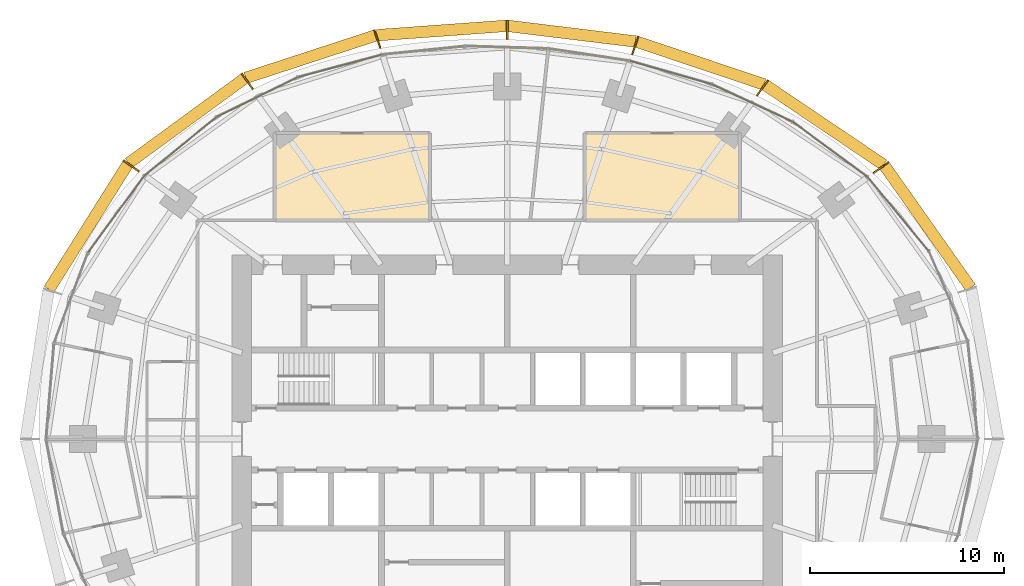
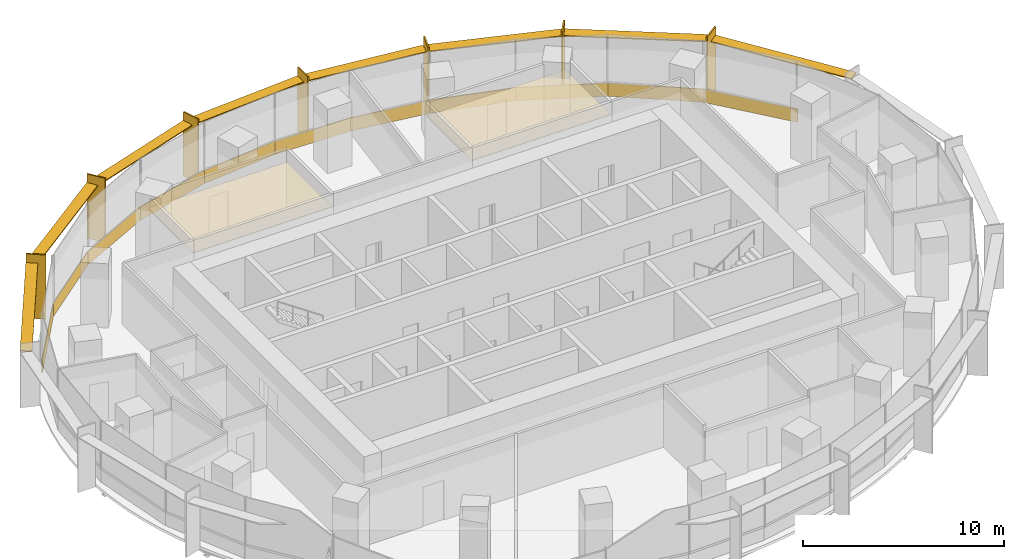
# One storey, part 14 of 14: 15 shading devices, 13 coverings.
"""IFC4 building model written with IfcOpenShell, lengths in metres."""

from ifc_helpers import new_model, si_unit, direction, frame, origin, origin_2d, place, context, subcontext, project, spatial, polyline, rectangle, outline, extrude, material, layer, layer_set, type_object, element, save


model = new_model("IFC4")

# Units and contexts
model_context = context("Model", 3, precision=1e-05, world=origin(), true_north=direction((0.0, 1.0)))
body_context = subcontext(model_context, "Body", "Model", "MODEL_VIEW")
ifc_project = project(units=[si_unit("LENGTHUNIT", "METRE"), si_unit("AREAUNIT", "SQUARE_METRE"), si_unit("VOLUMEUNIT", "CUBIC_METRE"), si_unit("PLANEANGLEUNIT", "RADIAN"), si_unit("MASSUNIT", "GRAM", prefix="KILO")], contexts=[model_context])

# Site, building, storey
site_placement = place(None, origin())
site = spatial("IfcSite", under=ifc_project, at=site_placement, CompositionType="ELEMENT")
building_placement = place(site_placement, origin())
building = spatial("IfcBuilding", under=site, at=building_placement, Name="Marramba Exchange Tower", CompositionType="ELEMENT")
storey_placement = place(building_placement, frame((0.0, 0.0, 183.800048828125)))
storey = spatial("IfcBuildingStorey", under=building, at=storey_placement, Name="L44", CompositionType="ELEMENT", Elevation=183.800048828125)

# Shading devices
ifc_material_1 = material(Name="Aluminium blade, timber-look bronze finish", Category="wood")
ifc_layer_1 = layer(ifc_material_1, 0.080078125)
ifc_layer_set_1 = layer_set([ifc_layer_1], Name="Floor-edge blade 1000x80")
shading_device_type_1 = type_object("IfcShadingDeviceType", Name="Floor-edge blade 1000x80", PredefinedType="USERDEFINED", material=ifc_layer_set_1)
for number, where, z_axis, x_axis, name in (
    (1, (19.298828125, 14.021484375, -0.159912109375), (0.0, 0.0, 1.0), (0.809016994375, 0.587785252292, 0.0), "Floor-edge blade FB1 L44 TC03"),
    (2, (13.176513671875, 18.135986328125, -0.159912109375), (0.0, 0.0, 1.0), (0.587785252292, 0.809016994375, 0.0), "Floor-edge blade FB1 L44 TC04"),
    (3, (6.605712890625, 20.330078125, -0.159912109375), (0.0, 0.0, 1.0), (0.309016994375, 0.951056516295, 0.0), "Floor-edge blade FB1 L44 TC05"),
    (4, (0.0, 21.13623046875, -0.159912109375), (0.0, 0.0, 1.0), (0.0, 1.0, 0.0), "Floor-edge blade FB1 L44 TC06"),
    (5, (-6.7119140625, 20.657470703125, -0.159912109375), (0.0, 0.0, 1.0), (-0.309016994375, 0.951056516295, 0.0), "Floor-edge blade FB1 L44 TC07"),
    (6, (-13.422607421875, 18.474609375, -0.159912109375), (0.0, 0.0, 1.0), (-0.587785252292, 0.809016994375, 0.0), "Floor-edge blade FB1 L44 TC08"),
    (7, (-19.4140625, 14.105224609375, -0.159912109375), (0.0, 0.0, 1.0), (-0.809016994375, 0.587785252292, 0.0), "Floor-edge blade FB1 L44 TC09"),
):
    element("IfcShadingDevice", number, at=place(storey_placement, frame(where, z_axis=z_axis, x_axis=x_axis)), inside=storey, type_object=shading_device_type_1, Name=name, ObjectType="FIN", PredefinedType="USERDEFINED", context=body_context, shape_type="SweptSolid", body=[
        extrude(rectangle(XDim=1.0, YDim=0.080078125, at=origin_2d()), origin(), (0.0, 0.0, 1.0), 3.89990234375),
    ])
ifc_material_2 = material(Name="Aluminium sunshade, bronze anodised", Category="aluminium")
ifc_layer_2 = layer(ifc_material_2, 0.06005859375)
ifc_layer_set_2 = layer_set([ifc_layer_2], Name="SUNSHADE blade 600x60")
shading_device_type_2 = type_object("IfcShadingDeviceType", Name="SUNSHADE blade 600x60", PredefinedType="USERDEFINED", material=ifc_layer_set_2)
shading_device_1_placement = place(storey_placement, frame((21.703857421875, 10.9599609375, 3.159912109375), z_axis=(0.0, 0.0, 1.0), x_axis=(-0.576555118613, 0.81705825692, 0.0)))
element("IfcShadingDevice", 8, at=shading_device_1_placement, inside=storey, type_object=shading_device_type_2, Name="Sunshade SS1 L44 bay 02", ObjectType="SUNSHADE", PredefinedType="USERDEFINED", context=body_context, shape_type="SweptSolid", body=[
    extrude(rectangle(XDim=7.70166015625, YDim=0.60009765625, at=origin_2d()), origin(), (0.0, 0.0, 1.0), 0.06005859375),
])
shading_device_2_placement = place(storey_placement, frame((16.37744140625, 16.218505859375, 3.159912109375), z_axis=(0.0, 0.0, 1.0), x_axis=(-0.829071447151, 0.559142679035, 0.0)))
element("IfcShadingDevice", 9, at=shading_device_2_placement, inside=storey, type_object=shading_device_type_2, Name="Sunshade SS1 L44 bay 03", ObjectType="SUNSHADE", PredefinedType="USERDEFINED", context=body_context, shape_type="SweptSolid", body=[
    extrude(rectangle(XDim=7.35791015625, YDim=0.60009765625, at=origin_2d()), origin(), (0.0, 0.0, 1.0), 0.06005859375),
])
shading_device_3_placement = place(storey_placement, frame((9.980712890625, 19.4091796875, 3.159912109375), z_axis=(0.0, 0.0, 1.0), x_axis=(-0.948096437223, 0.317982933073, 0.0)))
element("IfcShadingDevice", 10, at=shading_device_3_placement, inside=storey, type_object=shading_device_type_2, Name="Sunshade SS1 L44 bay 04", ObjectType="SUNSHADE", PredefinedType="USERDEFINED", context=body_context, shape_type="SweptSolid", body=[
    extrude(rectangle(XDim=6.909423828125, YDim=0.60009765625, at=origin_2d()), origin(), (0.0, 0.0, 1.0), 0.06005859375),
])
shading_device_4_placement = place(storey_placement, frame((3.333740234375, 20.92822265625, 3.159912109375), z_axis=(0.0, 0.0, 1.0), x_axis=(-0.992595256045, 0.121468751853, 0.0)))
element("IfcShadingDevice", 11, at=shading_device_4_placement, inside=storey, type_object=shading_device_type_2, Name="Sunshade SS1 L44 bay 05", ObjectType="SUNSHADE", PredefinedType="USERDEFINED", context=body_context, shape_type="SweptSolid", body=[
    extrude(rectangle(XDim=6.63720703125, YDim=0.60009765625, at=origin_2d()), origin(), (0.0, 0.0, 1.0), 0.06005859375),
])
shading_device_5_placement = place(storey_placement, frame((-3.386962890625, 21.092041015625, 3.159912109375), z_axis=(0.0, 0.0, 1.0), x_axis=(-0.997407641713, -0.071958295234, 0.0)))
element("IfcShadingDevice", 12, at=shading_device_5_placement, inside=storey, type_object=shading_device_type_2, Name="Sunshade SS1 L44 bay 06", ObjectType="SUNSHADE", PredefinedType="USERDEFINED", context=body_context, shape_type="SweptSolid", body=[
    extrude(rectangle(XDim=6.71142578125, YDim=0.60009765625, at=origin_2d()), origin(), (0.0, 0.0, 1.0), 0.06005859375),
])
shading_device_6_placement = place(storey_placement, frame((-10.156982421875, 19.741943359375, 3.159912109375), z_axis=(0.0, 0.0, 1.0), x_axis=(-0.950537602937, -0.310609506297, 0.0)))
element("IfcShadingDevice", 13, at=shading_device_6_placement, inside=storey, type_object=shading_device_type_2, Name="Sunshade SS1 L44 bay 07", ObjectType="SUNSHADE", PredefinedType="USERDEFINED", context=body_context, shape_type="SweptSolid", body=[
    extrude(rectangle(XDim=7.03857421875, YDim=0.60009765625, at=origin_2d()), origin(), (0.0, 0.0, 1.0), 0.06005859375),
])
shading_device_7_placement = place(storey_placement, frame((-16.55810546875, 16.4296875, 3.159912109375), z_axis=(0.0, 0.0, 1.0), x_axis=(-0.80719390073, -0.59028637679, 0.0)))
element("IfcShadingDevice", 14, at=shading_device_7_placement, inside=storey, type_object=shading_device_type_2, Name="Sunshade SS1 L44 bay 08", ObjectType="SUNSHADE", PredefinedType="USERDEFINED", context=body_context, shape_type="SweptSolid", body=[
    extrude(rectangle(XDim=7.3974609375, YDim=0.60009765625, at=origin_2d()), origin(), (0.0, 0.0, 1.0), 0.06005859375),
])
shading_device_8_placement = place(storey_placement, frame((-21.62744140625, 10.958251953125, 3.159912109375), z_axis=(0.0, 0.0, 1.0), x_axis=(-0.532082259983, -0.846692664792, 0.0)))
element("IfcShadingDevice", 15, at=shading_device_8_placement, inside=storey, type_object=shading_device_type_2, Name="Sunshade SS1 L44 bay 09", ObjectType="SUNSHADE", PredefinedType="USERDEFINED", context=body_context, shape_type="SweptSolid", body=[
    extrude(rectangle(XDim=7.631103515625, YDim=0.60009765625, at=origin_2d()), origin(), (0.0, 0.0, 1.0), 0.06005859375),
])

# Coverings
ifc_material_3 = material(Name="Aluminium spandrel panel, bronze anodised, insulated", Category="aluminium")
ifc_layer_3 = layer(ifc_material_3, 0.050048828125)
ifc_layer_set_3 = layer_set([ifc_layer_3], Name="Spandrel panel 800")
covering_type_1 = type_object("IfcCoveringType", Name="Spandrel panel 800", PredefinedType="CLADDING", material=ifc_layer_set_3)
covering_1_placement = place(storey_placement, frame((20.193603515625, 11.608642578125, 0.0), z_axis=(0.0, 0.0, 1.0), x_axis=(-0.637350224586, 0.770574260678, 0.0)))
element("IfcCovering", 16, at=covering_1_placement, inside=storey, type_object=covering_type_1, Name="Spandrel panel SP1 L44 F03", PredefinedType="CLADDING", context=body_context, shape_type="SweptSolid", body=[
    extrude(rectangle(XDim=4.9658203125, YDim=0.050048828125, at=origin_2d()), origin(), (0.0, 0.0, 1.0), 0.800048828125),
])
covering_2_placement = place(storey_placement, frame((16.677001953125, 14.94775390625, 0.0), z_axis=(0.0, 0.0, 1.0), x_axis=(-0.804877256733, 0.593441321104, 0.0)))
element("IfcCovering", 17, at=covering_2_placement, inside=storey, type_object=covering_type_1, Name="Spandrel panel SP1 L44 F04", PredefinedType="CLADDING", context=body_context, shape_type="SweptSolid", body=[
    extrude(rectangle(XDim=4.805908203125, YDim=0.050048828125, at=origin_2d()), origin(), (0.0, 0.0, 1.0), 0.800048828125),
])
covering_3_placement = place(storey_placement, frame((12.65869140625, 17.344482421875, 0.0), z_axis=(0.0, 0.0, 1.0), x_axis=(-0.906533903661, 0.422133014005, 0.0)))
element("IfcCovering", 18, at=covering_3_placement, inside=storey, type_object=covering_type_1, Name="Spandrel panel SP1 L44 F05", PredefinedType="CLADDING", context=body_context, shape_type="SweptSolid", body=[
    extrude(rectangle(XDim=4.5986328125, YDim=0.050048828125, at=origin_2d()), origin(), (0.0, 0.0, 1.0), 0.800048828125),
])
covering_4_placement = place(storey_placement, frame((8.45849609375, 18.91845703125, 0.0), z_axis=(0.0, 0.0, 1.0), x_axis=(-0.961658952783, 0.274248169607, 0.0)))
element("IfcCovering", 19, at=covering_4_placement, inside=storey, type_object=covering_type_1, Name="Spandrel panel SP1 L44 F06", PredefinedType="CLADDING", context=body_context, shape_type="SweptSolid", body=[
    extrude(rectangle(XDim=4.39990234375, YDim=0.050048828125, at=origin_2d()), origin(), (0.0, 0.0, 1.0), 0.800048828125),
])
covering_5_placement = place(storey_placement, frame((4.230712890625, 19.839599609375, 0.0), z_axis=(0.0, 0.0, 1.0), x_axis=(-0.988868065308, 0.148794991224, 0.0)))
element("IfcCovering", 20, at=covering_5_placement, inside=storey, type_object=covering_type_1, Name="Spandrel panel SP1 L44 F07", PredefinedType="CLADDING", context=body_context, shape_type="SweptSolid", body=[
    extrude(rectangle(XDim=4.27197265625, YDim=0.050048828125, at=origin_2d()), origin(), (0.0, 0.0, 1.0), 0.800048828125),
])
covering_6_placement = place(storey_placement, frame((-0.0068359375, 20.221923828125, 0.0), z_axis=(0.0, 0.0, 1.0), x_axis=(-0.999537999985, 0.030393857689, 0.0)))
element("IfcCovering", 21, at=covering_6_placement, inside=storey, type_object=covering_type_1, Name="Spandrel panel SP1 L44 F08", PredefinedType="CLADDING", context=body_context, shape_type="SweptSolid", body=[
    extrude(rectangle(XDim=4.252685546875, YDim=0.050048828125, at=origin_2d()), origin(), (0.0, 0.0, 1.0), 0.800048828125),
])
covering_7_placement = place(storey_placement, frame((-4.290771484375, 20.06787109375, 0.0), z_axis=(0.0, 0.0, 1.0), x_axis=(-0.994900357732, -0.10086266993, 0.0)))
element("IfcCovering", 22, at=covering_7_placement, inside=storey, type_object=covering_type_1, Name="Spandrel panel SP1 L44 F09", PredefinedType="CLADDING", context=body_context, shape_type="SweptSolid", body=[
    extrude(rectangle(XDim=4.33935546875, YDim=0.050048828125, at=origin_2d()), origin(), (0.0, 0.0, 1.0), 0.800048828125),
])
covering_8_placement = place(storey_placement, frame((-8.620361328125, 19.27001953125, 0.0), z_axis=(0.0, 0.0, 1.0), x_axis=(-0.966240651433, -0.257641230237, 0.0)))
element("IfcCovering", 23, at=covering_8_placement, inside=storey, type_object=covering_type_1, Name="Spandrel panel SP1 L44 F10", PredefinedType="CLADDING", context=body_context, shape_type="SweptSolid", body=[
    extrude(rectangle(XDim=4.49365234375, YDim=0.050048828125, at=origin_2d()), origin(), (0.0, 0.0, 1.0), 0.800048828125),
])
covering_9_placement = place(storey_placement, frame((-12.88818359375, 17.666748046875, 0.0), z_axis=(0.0, 0.0, 1.0), x_axis=(-0.898500520314, -0.438972453572, 0.0)))
element("IfcCovering", 24, at=covering_9_placement, inside=storey, type_object=covering_type_1, Name="Spandrel panel SP1 L44 F11", PredefinedType="CLADDING", context=body_context, shape_type="SweptSolid", body=[
    extrude(rectangle(XDim=4.667236328125, YDim=0.050048828125, at=origin_2d()), origin(), (0.0, 0.0, 1.0), 0.800048828125),
])
covering_10_placement = place(storey_placement, frame((-16.855712890625, 15.1240234375, 0.0), z_axis=(0.0, 0.0, 1.0), x_axis=(-0.776432169123, -0.630200830491, 0.0)))
element("IfcCovering", 25, at=covering_10_placement, inside=storey, type_object=covering_type_1, Name="Spandrel panel SP1 L44 F12", PredefinedType="CLADDING", context=body_context, shape_type="SweptSolid", body=[
    extrude(rectangle(XDim=4.81884765625, YDim=0.050048828125, at=origin_2d()), origin(), (0.0, 0.0, 1.0), 0.800048828125),
])
covering_11_placement = place(storey_placement, frame((-20.184326171875, 11.62060546875, 0.0), z_axis=(0.0, 0.0, 1.0), x_axis=(-0.591962919465, -0.805965198987, 0.0)))
element("IfcCovering", 26, at=covering_11_placement, inside=storey, type_object=covering_type_1, Name="Spandrel panel SP1 L44 F13", PredefinedType="CLADDING", context=body_context, shape_type="SweptSolid", body=[
    extrude(rectangle(XDim=4.925537109375, YDim=0.050048828125, at=origin_2d()), origin(), (0.0, 0.0, 1.0), 0.800048828125),
])
ifc_material_4 = material(Name="Mineral fibre ceiling tiles", Category="gypsum")
ifc_layer_4 = layer(ifc_material_4, 0.02001953125)
ifc_layer_set_4 = layer_set([ifc_layer_4], Name="Suspended ceiling 20")
covering_type_2 = type_object("IfcCoveringType", Name="Suspended ceiling 20", PredefinedType="CEILING", material=ifc_layer_set_4)
covering_12_placement = place(storey_placement, frame((0.0, 0.0, 2.89990234375)))
element("IfcCovering", 27, at=covering_12_placement, inside=storey, type_object=covering_type_2, Name="Ceiling CL1 L44 Meeting Room 1", PredefinedType="CEILING", context=body_context, shape_type="SweptSolid", body=[
    extrude(outline(polyline([(12.0, 11.300048828125), (4.0, 11.300048828125), (4.0, 15.800048828125), (12.0, 15.800048828125), (12.0, 11.300048828125)])), origin(), (0.0, 0.0, 1.0), 0.02001953125),
])
covering_13_placement = place(storey_placement, frame((0.0, 0.0, 2.89990234375)))
element("IfcCovering", 28, at=covering_13_placement, inside=storey, type_object=covering_type_2, Name="Ceiling CL1 L44 Meeting Room 3", PredefinedType="CEILING", context=body_context, shape_type="SweptSolid", body=[
    extrude(outline(polyline([(-4.0, 11.300048828125), (-12.0, 11.300048828125), (-12.0, 15.800048828125), (-4.0, 15.800048828125), (-4.0, 11.300048828125)])), origin(), (0.0, 0.0, 1.0), 0.02001953125),
])

save(model, "model.ifc")
